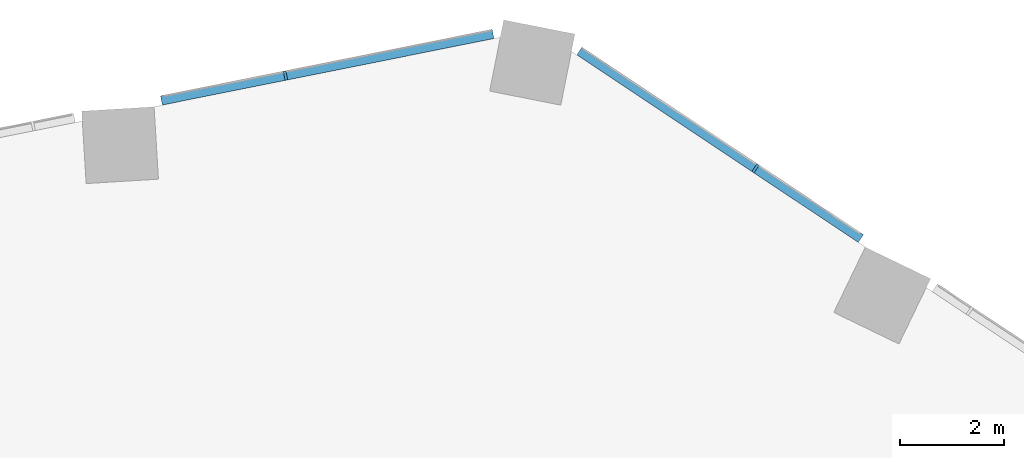
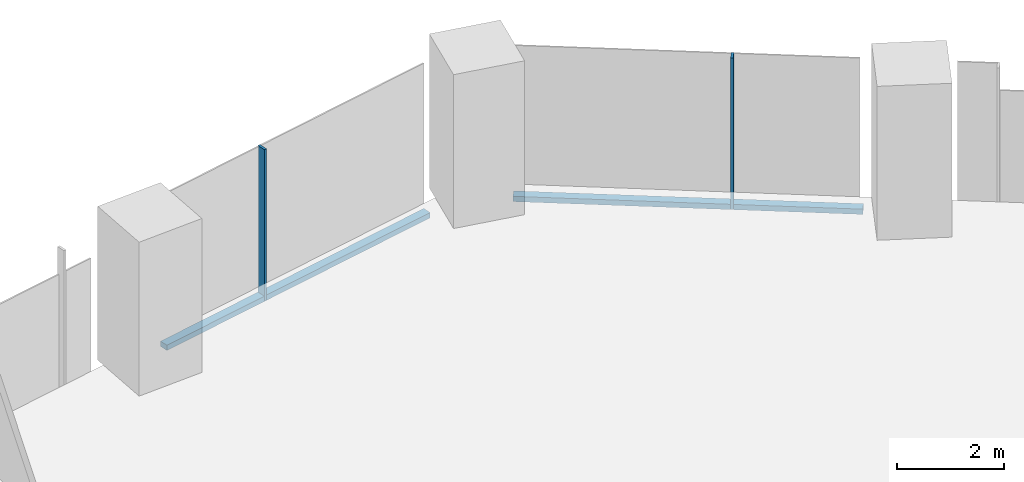
# One storey, part 14 of 38: 4 members, 2 elements without a shape of their own.
"""IFC4 building model written with IfcOpenShell, lengths in metres."""

import ifcopenshell
import ifcopenshell.guid

model = None  # the IFC model being written
_history = None  # IfcOwnerHistory: only IFC2X3 demands one
_inside = {}  # id of a spatial element -> (the spatial element, [elements in it])
_under = {}  # id of a project, library or spatial element -> (it, [spatial elements below it])
_declared = {}  # id of a project -> (the project, [libraries it declares])
_typed = {}  # id of a type object -> (the type object, [elements of that type])
_made_of = {}  # id of a material, layer set ... -> (it, [elements and type objects made of it])


def new_model(schema):
    """Start an empty IFC model of exactly this schema.

    Asked for "IFC4X3", IfcOpenShell would pick the latest addendum, in which some entities
    have other attributes; the version numbers below select the first issue.
    IFC2X3 requires an IfcOwnerHistory on every rooted entity: one is made here for all.
    """
    global model, _history
    if schema == "IFC4X3":
        model = ifcopenshell.file(schema_version=(4, 3, 0, 0))
    else:
        model = ifcopenshell.file(schema=schema)
    _inside.clear()
    _under.clear()
    _declared.clear()
    _typed.clear()
    _made_of.clear()
    _history = None
    if model.schema == "IFC2X3":
        org = make("IfcOrganization", Name="unknown")
        user = make(
            "IfcPersonAndOrganization",
            ThePerson=make("IfcPerson", FamilyName="unknown"),
            TheOrganization=org,
        )
        app = make(
            "IfcApplication",
            ApplicationDeveloper=org,
            Version="unknown",
            ApplicationFullName="unknown",
            ApplicationIdentifier="unknown",
        )
        _history = make(
            "IfcOwnerHistory",
            OwningUser=user,
            OwningApplication=app,
            ChangeAction="ADDED",
            CreationDate=0,
        )
    return model


def make(cls, **values):
    """One entity of the class cls with the attributes given. An attribute that is None is left unset."""
    return model.create_entity(
        cls, **{name: value for name, value in values.items() if value is not None}
    )


def rooted(cls, **values):
    """An entity with a GlobalId (a new one), such as an element, a storey or a relation."""
    return make(cls, GlobalId=ifcopenshell.guid.new(), OwnerHistory=_history, **values)


def si_unit(unit_type, name, prefix=None):
    """IfcSIUnit, for example si_unit("LENGTHUNIT", "METRE", prefix="MILLI")."""
    return make("IfcSIUnit", UnitType=unit_type, Prefix=prefix, Name=name)


def assignment(units):
    """IfcUnitAssignment: the units of a project."""
    return None if units is None else make("IfcUnitAssignment", Units=units)


def point(xyz):
    """IfcCartesianPoint."""
    return None if xyz is None else make("IfcCartesianPoint", Coordinates=xyz)


def direction(xyz):
    """IfcDirection."""
    return None if xyz is None else make("IfcDirection", DirectionRatios=xyz)


def frame(location, z_axis=None, x_axis=None):
    """IfcAxis2Placement3D, a coordinate frame: its origin and axes. An axis left out is left unset."""
    return make(
        "IfcAxis2Placement3D",
        Location=point(location),
        Axis=direction(z_axis),
        RefDirection=direction(x_axis),
    )


def frame_2d(location, x_axis=None):
    """IfcAxis2Placement2D, a coordinate frame in the plane: its origin and x axis."""
    return make(
        "IfcAxis2Placement2D", Location=point(location), RefDirection=direction(x_axis)
    )


def origin():
    """The frame at (0, 0, 0) with its axes left unset."""
    return frame((0.0, 0.0, 0.0))


def origin_2d():
    """The frame at (0, 0) in the plane with its x axis left unset."""
    return frame_2d((0.0, 0.0))


def place(relative_to, where):
    """IfcLocalPlacement: puts the frame where relative to a parent placement (None: the world)."""
    return make(
        "IfcLocalPlacement", PlacementRelTo=relative_to, RelativePlacement=where
    )


def context(
    kind, dimensions, precision=None, world=None, true_north=None, identifier=None
):
    """IfcGeometricRepresentationContext, for example the 3D "Model" context."""
    return make(
        "IfcGeometricRepresentationContext",
        ContextIdentifier=identifier,
        ContextType=kind,
        CoordinateSpaceDimension=dimensions,
        Precision=precision,
        WorldCoordinateSystem=world,
        TrueNorth=true_north,
    )


def subcontext(parent, identifier, kind, view, scale=None):
    """IfcGeometricRepresentationSubContext, for example "Body" below "Model"."""
    return make(
        "IfcGeometricRepresentationSubContext",
        ContextIdentifier=identifier,
        ContextType=kind,
        ParentContext=parent,
        TargetScale=scale,
        TargetView=view,
    )


def project(units=None, contexts=None):
    """IfcProject with its units and contexts."""
    return rooted(
        "IfcProject",
        Name="project",
        RepresentationContexts=contexts,
        UnitsInContext=assignment(units),
    )


def spatial(cls, under=None, at=None, **own):
    """A site, building, storey or space (cls), placed at a placement, below another one or the project."""
    s = rooted(cls, ObjectPlacement=at, **own)
    if under is not None:
        _under.setdefault(under.id(), (under, []))[1].append(s)
    return s


def profile(cls, at=None, kind="AREA", **sizes):
    """A parametric profile (cls). Its sizes go by their IFC names, for example OverallWidth=200.0."""
    return make(cls, ProfileType=kind, Position=at, **sizes)


def rectangle(**sizes):
    """IfcRectangleProfileDef."""
    return profile("IfcRectangleProfileDef", **sizes)


def extrude(swept, where, along, depth):
    """IfcExtrudedAreaSolid: the profile swept, set in the frame where, extruded along a direction by depth."""
    return make(
        "IfcExtrudedAreaSolid",
        SweptArea=swept,
        Position=where,
        ExtrudedDirection=direction(along),
        Depth=depth,
    )


def shape(context_of_items, identifier, shape_type, items):
    """IfcShapeRepresentation: the items that make up one representation, for example the "Body"."""
    return make(
        "IfcShapeRepresentation",
        ContextOfItems=context_of_items,
        RepresentationIdentifier=identifier,
        RepresentationType=shape_type,
        Items=items,
    )


def material(Name=None, Category=None):
    """IfcMaterial."""
    return make("IfcMaterial", Name=Name, Category=Category)


def material_profile(
    of_material, cross_section, Name=None, Category=None, Priority=None
):
    """IfcMaterialProfile: a cross section and its material."""
    return make(
        "IfcMaterialProfile",
        Name=Name,
        Material=of_material,
        Profile=cross_section,
        Priority=Priority,
        Category=Category,
    )


def profile_set(profiles, Name=None, composite=None):
    """IfcMaterialProfileSet."""
    return make(
        "IfcMaterialProfileSet",
        Name=Name,
        MaterialProfiles=profiles,
        CompositeProfile=composite,
    )


def made_of(thing, what):
    """Note that an element or type object is made of a material, layer set ...; save() writes the relation."""
    if what is not None:
        _made_of.setdefault(what.id(), (what, []))[1].append(thing)
    return thing


def type_object(cls, material=None, **own):
    """A type object (cls), such as IfcWallType, which elements share."""
    return made_of(rooted(cls, **own), material)


def element(
    cls,
    number,
    at=None,
    inside=None,
    cuts=None,
    type_object=None,
    material=None,
    context=None,
    identifier="Body",
    shape_type=None,
    held_by="IfcProductDefinitionShape",
    body=None,
    shapes=None,
    **own,
):
    """One element of the class cls, such as IfcWall. Its Tag is "e" and its number.

    at: its placement. inside: the storey or other place that contains it. cuts: it is an
    opening in that element (IfcRelVoidsElement). A single representation is given by context,
    identifier, shape_type and body (its items); several are given by shapes. held_by: the class
    of the entity that holds the representations. save() writes the other relations.
    """
    e = rooted(cls, Tag="e%d" % number, ObjectPlacement=at, **own)
    if body is not None:
        shapes = [shape(context, identifier, shape_type, body)]
    if shapes is not None:
        e.Representation = make(held_by, Representations=shapes)
    if inside is not None:
        _inside.setdefault(inside.id(), (inside, []))[1].append(e)
    if cuts is not None:
        rooted(
            "IfcRelVoidsElement", RelatingBuildingElement=cuts, RelatedOpeningElement=e
        )
    if type_object is not None:
        _typed.setdefault(type_object.id(), (type_object, []))[1].append(e)
    return made_of(e, material)


def aggregate(whole, parts):
    """IfcRelAggregates: a whole, such as a stair, and the parts it consists of."""
    return rooted("IfcRelAggregates", RelatingObject=whole, RelatedObjects=parts)


def save(model, path):
    """Write the relations noted so far, then the file.

    IfcRelAggregates (storeys below a building ...), IfcRelContainedInSpatialStructure (elements
    in a storey), IfcRelDefinesByType, IfcRelAssociatesMaterial and IfcRelDeclares: one each for
    every whole, place, type object, material and project.
    """
    for whole, parts in _under.values():
        aggregate(whole, parts)
    for where, things in _inside.values():
        rooted(
            "IfcRelContainedInSpatialStructure",
            RelatedElements=things,
            RelatingStructure=where,
        )
    for kind, things in _typed.values():
        rooted("IfcRelDefinesByType", RelatedObjects=things, RelatingType=kind)
    for what, things in _made_of.values():
        rooted("IfcRelAssociatesMaterial", RelatedObjects=things, RelatingMaterial=what)
    for by, libraries in _declared.values():
        rooted("IfcRelDeclares", RelatingContext=by, RelatedDefinitions=libraries)
    model.write(path)


model = new_model("IFC4")

# Units and contexts
model_context = context("Model", 3, precision=1e-05, world=origin(), true_north=direction((0.0, 1.0)))
body_context = subcontext(model_context, "Body", "Model", "MODEL_VIEW")
ifc_project = project(units=[si_unit("LENGTHUNIT", "METRE"), si_unit("AREAUNIT", "SQUARE_METRE"), si_unit("VOLUMEUNIT", "CUBIC_METRE"), si_unit("PLANEANGLEUNIT", "RADIAN"), si_unit("MASSUNIT", "GRAM", prefix="KILO")], contexts=[model_context])

# Site, building, storey
site_placement = place(None, origin())
site = spatial("IfcSite", under=ifc_project, at=site_placement, CompositionType="ELEMENT")
building_placement = place(site_placement, origin())
building = spatial("IfcBuilding", under=site, at=building_placement, Name="Orlundy Tower", CompositionType="ELEMENT")
storey_placement = place(building_placement, frame((0.0, 0.0, 72.800048828125)))
storey = spatial("IfcBuildingStorey", under=building, at=storey_placement, Name="L17", CompositionType="ELEMENT", Elevation=72.800048828125)

# Curtain wall, member
ifc_material_1 = material(Name="Aluminium bronze anodised", Category="aluminium")
curtain_wall_type = type_object("IfcCurtainWallType", Name="CW1 wall", PredefinedType="NOTDEFINED", material=ifc_material_1)
curtain_wall_1_placement = place(storey_placement, origin())
curtain_wall_1 = element("IfcCurtainWall", 1, at=curtain_wall_1_placement, inside=storey, type_object=curtain_wall_type, Name="CW1 run 015", PredefinedType="NOTDEFINED")
ifc_material_2 = material(Name="Aluminium bronze anodised", Category="aluminium")
ifc_material_profile_1 = material_profile(ifc_material_2, rectangle(XDim=0.179931640625, YDim=0.050048828125, at=origin_2d()), Name="CW1 mullion 50x180")
ifc_profile_set_1 = profile_set([ifc_material_profile_1], Name="Aluminium bronze anodised")
member_type_1 = type_object("IfcMemberType", Name="CW1 mullion 50x180", PredefinedType="MULLION", material=ifc_profile_set_1)
member_1_placement = place(storey_placement, frame((1.3974609375, 30.968505859375, -0.400146484375), z_axis=(0.0, 0.0, 1.0), x_axis=(-0.196510737775, 0.980501672583, 0.0)))
member_1 = element("IfcMember", 2, at=member_1_placement, type_object=member_type_1, Name="CW1 mullion 43", PredefinedType="MULLION", context=body_context, shape_type="SweptSolid", body=[
    extrude(rectangle(XDim=0.179931640625, YDim=0.050048828125, at=origin_2d()), origin(), (0.0, 0.0, 1.0), 3.4501953125),
])

curtain_wall_2_placement = place(storey_placement, origin())
curtain_wall_2 = element("IfcCurtainWall", 3, at=curtain_wall_2_placement, inside=storey, type_object=curtain_wall_type, Name="CW1 run 016", PredefinedType="NOTDEFINED")
member_2_placement = place(storey_placement, frame((10.4755859375, 29.176513671875, -0.400146484375), z_axis=(0.0, 0.0, 1.0), x_axis=(0.554356579774, 0.832279269513, 0.0)))
member_2 = element("IfcMember", 4, at=member_2_placement, type_object=member_type_1, Name="CW1 mullion 45", PredefinedType="MULLION", context=body_context, shape_type="SweptSolid", body=[
    extrude(rectangle(XDim=0.179931640625, YDim=0.050048828125, at=origin_2d()), origin(), (0.0, 0.0, 1.0), 3.4501953125),
])

# Member
ifc_material_3 = material(Name="Aluminium bronze anodised", Category="aluminium")
ifc_material_profile_2 = material_profile(ifc_material_3, rectangle(XDim=0.179931640625, YDim=0.1201171875, at=origin_2d()), Name="CW1 transom 180x120")
ifc_profile_set_2 = profile_set([ifc_material_profile_2], Name="Aluminium bronze anodised")
member_type_2 = type_object("IfcMemberType", Name="CW1 transom 180x120", PredefinedType="USERDEFINED", material=ifc_profile_set_2)
member_3_placement = place(storey_placement, frame((-0.997802734375, 30.48828125, -0.340087890625), z_axis=(0.980498633582, 0.19652590044, 0.0), x_axis=(-0.19652590044, 0.980498633582, 0.0)))
member_3 = element("IfcMember", 5, at=member_3_placement, type_object=member_type_2, Name="CW1 transom", ObjectType="TRANSOM", PredefinedType="USERDEFINED", context=body_context, shape_type="SweptSolid", body=[
    extrude(rectangle(XDim=0.179931640625, YDim=0.1201171875, at=origin_2d()), origin(), (0.0, 0.0, 1.0), 6.53076171875),
])

aggregate(curtain_wall_1, [member_1, member_3])

member_4_placement = place(storey_placement, frame((7.073486328125, 31.442626953125, -0.340087890625), z_axis=(0.832280257584, -0.554355096338, 0.0), x_axis=(0.554355096338, 0.832280257584, 0.0)))
member_4 = element("IfcMember", 6, at=member_4_placement, type_object=member_type_2, Name="CW1 transom", ObjectType="TRANSOM", PredefinedType="USERDEFINED", context=body_context, shape_type="SweptSolid", body=[
    extrude(rectangle(XDim=0.179931640625, YDim=0.1201171875, at=origin_2d()), origin(), (0.0, 0.0, 1.0), 6.53125),
])

aggregate(curtain_wall_2, [member_2, member_4])

save(model, "model.ifc")
